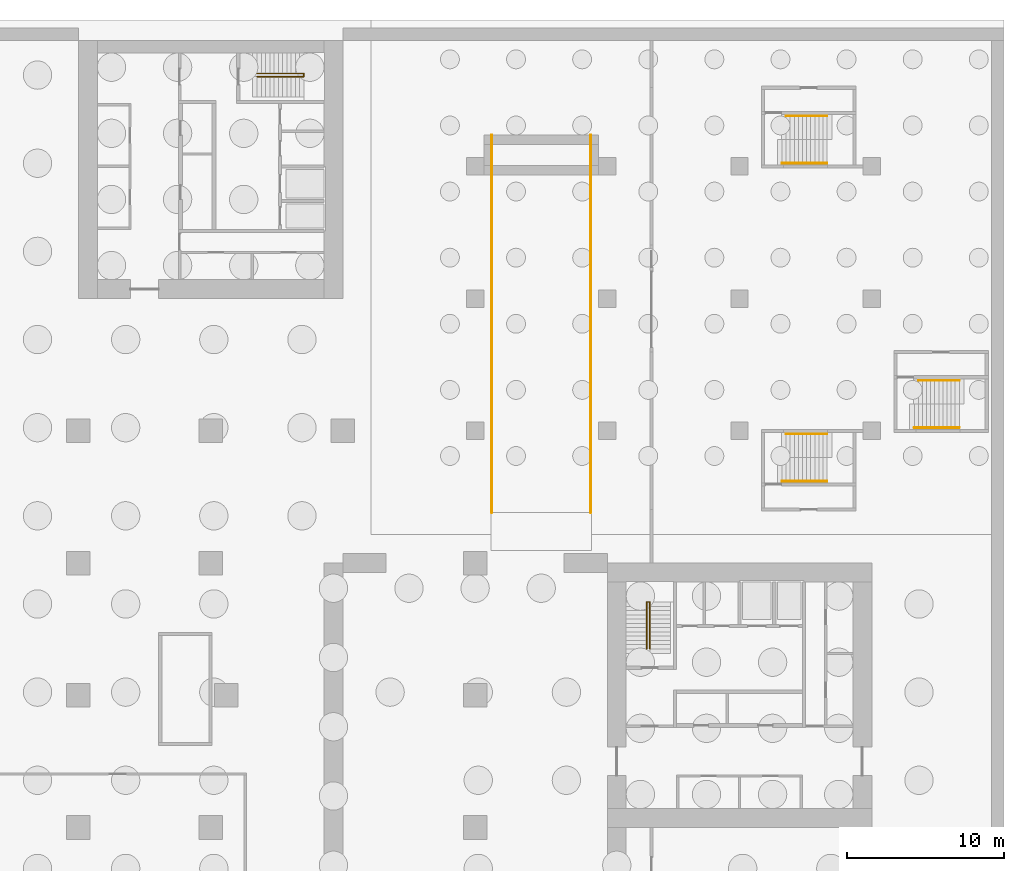
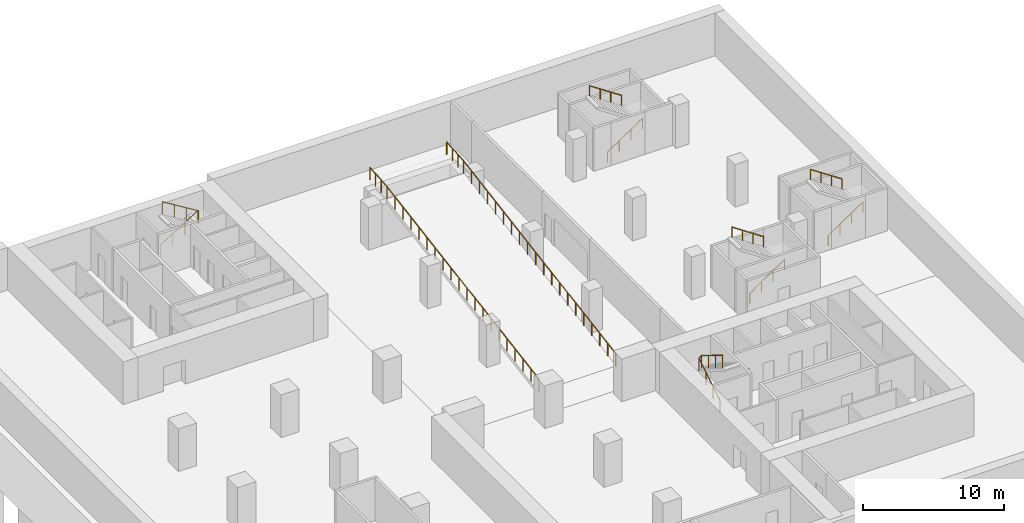
# One storey, part 7 of 8: 12 railings.
"""IFC4 building model written with IfcOpenShell, lengths in metres."""

from ifc_helpers import new_model, si_unit, direction, frame, origin, origin_2d, place, context, subcontext, project, spatial, circle, extrude, material, type_object, element, save


model = new_model("IFC4")

# Units and contexts
model_context = context("Model", 3, precision=1e-05, world=origin(), true_north=direction((0.0, 1.0)))
body_context = subcontext(model_context, "Body", "Model", "MODEL_VIEW")
ifc_project = project(units=[si_unit("LENGTHUNIT", "METRE"), si_unit("AREAUNIT", "SQUARE_METRE"), si_unit("VOLUMEUNIT", "CUBIC_METRE"), si_unit("PLANEANGLEUNIT", "RADIAN"), si_unit("MASSUNIT", "GRAM", prefix="KILO")], contexts=[model_context])

# Site, building, storey
site_placement = place(None, origin())
site = spatial("IfcSite", under=ifc_project, at=site_placement, CompositionType="ELEMENT")
building_placement = place(site_placement, origin())
building = spatial("IfcBuilding", under=site, at=building_placement, Name="Vermilion Gate Residences", CompositionType="ELEMENT")
storey_placement = place(building_placement, frame((0.0, 0.0, -16.0)))
storey = spatial("IfcBuildingStorey", under=building, at=storey_placement, Name="B4", CompositionType="ELEMENT", Elevation=-16.0)

# Railings
ifc_material_1 = material(Name="Steel", Category="steel")
railing_type_1 = type_object("IfcRailingType", Name="RAMP GUARD 1100 (AMENITY)", PredefinedType="GUARDRAIL", material=ifc_material_1)
for number, where, name in (
    (1, (34.64990234375, 52.39990234375, 4.0), "Ramp 4 guard west"),
    (2, (40.949951171875, 52.39990234375, 4.0), "Ramp 4 guard east"),
):
    element("IfcRailing", number, at=place(storey_placement, frame(where)), inside=storey, type_object=railing_type_1, Name=name, PredefinedType="GUARDRAIL", context=body_context, shape_type="SweptSolid", body=[
        extrude(circle(Radius=0.02392578125, at=origin_2d()), frame((0.0, 0.0, 1.076171875), z_axis=(0.0, -0.996547156423, -0.083028700011), x_axis=(1.0, 0.0, 0.0)), (0.0, 0.0, 1.0), 2.408203125),
        extrude(circle(Radius=0.02099609375, at=origin_2d()), origin(), (0.0, 0.0, 1.0), 1.052001953125),
        extrude(circle(Radius=0.02099609375, at=origin_2d()), frame((0.0, -0.800048828125, -0.066650390625)), (0.0, 0.0, 1.0), 1.052001953125),
        extrude(circle(Radius=0.02099609375, at=origin_2d()), frame((0.0, -1.599853515625, -0.13330078125)), (0.0, 0.0, 1.0), 1.052001953125),
        extrude(circle(Radius=0.02099609375, at=origin_2d()), frame((0.0, -2.39990234375, -0.199951171875)), (0.0, 0.0, 1.0), 1.052001953125),
    ])
railing_1_placement = place(storey_placement, frame((34.64990234375, 50.0, 3.800048828125)))
element("IfcRailing", 3, at=railing_1_placement, inside=storey, type_object=railing_type_1, Name="Ramp 4 guard west", PredefinedType="GUARDRAIL", context=body_context, shape_type="SweptSolid", body=[
    extrude(circle(Radius=0.02392578125, at=origin_2d()), frame((0.0, 0.0, 1.076171875), z_axis=(0.0, -0.986393321179, -0.164402603184), x_axis=(1.0, 0.0, 0.0)), (0.0, 0.0, 1.0), 21.89794921875),
    extrude(circle(Radius=0.02099609375, at=origin_2d()), origin(), (0.0, 0.0, 1.0), 1.052001953125),
    extrude(circle(Radius=0.02099609375, at=origin_2d()), frame((0.0, -1.136962890625, -0.189453125)), (0.0, 0.0, 1.0), 1.052001953125),
    extrude(circle(Radius=0.02099609375, at=origin_2d()), frame((0.0, -2.273681640625, -0.37890625)), (0.0, 0.0, 1.0), 1.052001953125),
    extrude(circle(Radius=0.02099609375, at=origin_2d()), frame((0.0, -3.41064453125, -0.568359375)), (0.0, 0.0, 1.0), 1.052001953125),
    extrude(circle(Radius=0.02099609375, at=origin_2d()), frame((0.0, -4.54736328125, -0.7578125)), (0.0, 0.0, 1.0), 1.052001953125),
    extrude(circle(Radius=0.02099609375, at=origin_2d()), frame((0.0, -5.684326171875, -0.947509765625)), (0.0, 0.0, 1.0), 1.052001953125),
    extrude(circle(Radius=0.02099609375, at=origin_2d()), frame((0.0, -6.821044921875, -1.136962890625)), (0.0, 0.0, 1.0), 1.052001953125),
    extrude(circle(Radius=0.02099609375, at=origin_2d()), frame((0.0, -7.9580078125, -1.326416015625)), (0.0, 0.0, 1.0), 1.052001953125),
    extrude(circle(Radius=0.02099609375, at=origin_2d()), frame((0.0, -9.0947265625, -1.515869140625)), (0.0, 0.0, 1.0), 1.052001953125),
    extrude(circle(Radius=0.02099609375, at=origin_2d()), frame((0.0, -10.231689453125, -1.705322265625)), (0.0, 0.0, 1.0), 1.052001953125),
    extrude(circle(Radius=0.02099609375, at=origin_2d()), frame((0.0, -11.368408203125, -1.894775390625)), (0.0, 0.0, 1.0), 1.052001953125),
    extrude(circle(Radius=0.02099609375, at=origin_2d()), frame((0.0, -12.50537109375, -2.084228515625)), (0.0, 0.0, 1.0), 1.052001953125),
    extrude(circle(Radius=0.02099609375, at=origin_2d()), frame((0.0, -13.64208984375, -2.273681640625)), (0.0, 0.0, 1.0), 1.052001953125),
    extrude(circle(Radius=0.02099609375, at=origin_2d()), frame((0.0, -14.779052734375, -2.463134765625)), (0.0, 0.0, 1.0), 1.052001953125),
    extrude(circle(Radius=0.02099609375, at=origin_2d()), frame((0.0, -15.915771484375, -2.652587890625)), (0.0, 0.0, 1.0), 1.052001953125),
    extrude(circle(Radius=0.02099609375, at=origin_2d()), frame((0.0, -17.052734375, -2.84228515625)), (0.0, 0.0, 1.0), 1.052001953125),
    extrude(circle(Radius=0.02099609375, at=origin_2d()), frame((0.0, -18.189453125, -3.03173828125)), (0.0, 0.0, 1.0), 1.052001953125),
    extrude(circle(Radius=0.02099609375, at=origin_2d()), frame((0.0, -19.326416015625, -3.22119140625)), (0.0, 0.0, 1.0), 1.052001953125),
    extrude(circle(Radius=0.02099609375, at=origin_2d()), frame((0.0, -20.463134765625, -3.41064453125)), (0.0, 0.0, 1.0), 1.052001953125),
    extrude(circle(Radius=0.02099609375, at=origin_2d()), frame((0.0, -21.60009765625, -3.60009765625)), (0.0, 0.0, 1.0), 1.052001953125),
])
railing_2_placement = place(storey_placement, frame((40.949951171875, 50.0, 3.800048828125)))
element("IfcRailing", 4, at=railing_2_placement, inside=storey, type_object=railing_type_1, Name="Ramp 4 guard east", PredefinedType="GUARDRAIL", context=body_context, shape_type="SweptSolid", body=[
    extrude(circle(Radius=0.02392578125, at=origin_2d()), frame((0.0, 0.0, 1.076171875), z_axis=(0.0, -0.986393321179, -0.164402603184), x_axis=(1.0, 0.0, 0.0)), (0.0, 0.0, 1.0), 21.89794921875),
    extrude(circle(Radius=0.02099609375, at=origin_2d()), origin(), (0.0, 0.0, 1.0), 1.052001953125),
    extrude(circle(Radius=0.02099609375, at=origin_2d()), frame((0.0, -1.136962890625, -0.189453125)), (0.0, 0.0, 1.0), 1.052001953125),
    extrude(circle(Radius=0.02099609375, at=origin_2d()), frame((0.0, -2.273681640625, -0.37890625)), (0.0, 0.0, 1.0), 1.052001953125),
    extrude(circle(Radius=0.02099609375, at=origin_2d()), frame((0.0, -3.41064453125, -0.568359375)), (0.0, 0.0, 1.0), 1.052001953125),
    extrude(circle(Radius=0.02099609375, at=origin_2d()), frame((0.0, -4.54736328125, -0.7578125)), (0.0, 0.0, 1.0), 1.052001953125),
    extrude(circle(Radius=0.02099609375, at=origin_2d()), frame((0.0, -5.684326171875, -0.947509765625)), (0.0, 0.0, 1.0), 1.052001953125),
    extrude(circle(Radius=0.02099609375, at=origin_2d()), frame((0.0, -6.821044921875, -1.136962890625)), (0.0, 0.0, 1.0), 1.052001953125),
    extrude(circle(Radius=0.02099609375, at=origin_2d()), frame((0.0, -7.9580078125, -1.326416015625)), (0.0, 0.0, 1.0), 1.052001953125),
    extrude(circle(Radius=0.02099609375, at=origin_2d()), frame((0.0, -9.0947265625, -1.515869140625)), (0.0, 0.0, 1.0), 1.052001953125),
    extrude(circle(Radius=0.02099609375, at=origin_2d()), frame((0.0, -10.231689453125, -1.705322265625)), (0.0, 0.0, 1.0), 1.052001953125),
    extrude(circle(Radius=0.02099609375, at=origin_2d()), frame((0.0, -11.368408203125, -1.894775390625)), (0.0, 0.0, 1.0), 1.052001953125),
    extrude(circle(Radius=0.02099609375, at=origin_2d()), frame((0.0, -12.50537109375, -2.084228515625)), (0.0, 0.0, 1.0), 1.052001953125),
    extrude(circle(Radius=0.02099609375, at=origin_2d()), frame((0.0, -13.64208984375, -2.273681640625)), (0.0, 0.0, 1.0), 1.052001953125),
    extrude(circle(Radius=0.02099609375, at=origin_2d()), frame((0.0, -14.779052734375, -2.463134765625)), (0.0, 0.0, 1.0), 1.052001953125),
    extrude(circle(Radius=0.02099609375, at=origin_2d()), frame((0.0, -15.915771484375, -2.652587890625)), (0.0, 0.0, 1.0), 1.052001953125),
    extrude(circle(Radius=0.02099609375, at=origin_2d()), frame((0.0, -17.052734375, -2.84228515625)), (0.0, 0.0, 1.0), 1.052001953125),
    extrude(circle(Radius=0.02099609375, at=origin_2d()), frame((0.0, -18.189453125, -3.03173828125)), (0.0, 0.0, 1.0), 1.052001953125),
    extrude(circle(Radius=0.02099609375, at=origin_2d()), frame((0.0, -19.326416015625, -3.22119140625)), (0.0, 0.0, 1.0), 1.052001953125),
    extrude(circle(Radius=0.02099609375, at=origin_2d()), frame((0.0, -20.463134765625, -3.41064453125)), (0.0, 0.0, 1.0), 1.052001953125),
    extrude(circle(Radius=0.02099609375, at=origin_2d()), frame((0.0, -21.60009765625, -3.60009765625)), (0.0, 0.0, 1.0), 1.052001953125),
])
ifc_material_2 = material(Name="Steel S355", Category="steel")
railing_type_2 = type_object("IfcRailingType", Name="STAIR GUARD 1100 STEEL", PredefinedType="GUARDRAIL", material=ifc_material_2)
railing_3_placement = place(storey_placement, frame((44.5, 19.75, 0.166748046875)))
element("IfcRailing", 5, at=railing_3_placement, inside=storey, type_object=railing_type_2, Name="Stair well guard STA1-B4", PredefinedType="GUARDRAIL", context=body_context, shape_type="SweptSolid", body=[
    extrude(circle(Radius=0.02392578125, at=origin_2d()), frame((0.0, 0.0, 1.076171875), z_axis=(0.0, 0.85094421596, 0.525256072145), x_axis=(-1.0, 0.0, 0.0)), (0.0, 0.0, 1.0), 3.490234375),
    extrude(circle(Radius=0.02392578125, at=origin_2d()), frame((0.0, 2.969970703125, 2.9091796875), z_axis=(0.767990643491, 0.0, 0.640461061666), x_axis=(0.0, 1.0, 0.0)), (0.0, 0.0, 1.0), 0.26025390625),
    extrude(circle(Radius=0.02392578125, at=origin_2d()), frame((0.199951171875, 2.969970703125, 3.076171875), z_axis=(0.0, -0.85094421596, 0.525256072145), x_axis=(1.0, 0.0, 0.0)), (0.0, 0.0, 1.0), 3.490234375),
    extrude(circle(Radius=0.02099609375, at=origin_2d()), origin(), (0.0, 0.0, 1.0), 1.052001953125),
    extrude(circle(Radius=0.02099609375, at=origin_2d()), frame((0.0, 0.989990234375, 0.611083984375)), (0.0, 0.0, 1.0), 1.052001953125),
    extrude(circle(Radius=0.02099609375, at=origin_2d()), frame((0.0, 1.97998046875, 1.22216796875)), (0.0, 0.0, 1.0), 1.052001953125),
    extrude(circle(Radius=0.02099609375, at=origin_2d()), frame((0.0, 2.969970703125, 1.833251953125)), (0.0, 0.0, 1.0), 1.052001953125),
    extrude(circle(Radius=0.02099609375, at=origin_2d()), frame((0.199951171875, 2.969970703125, 2.0)), (0.0, 0.0, 1.0), 1.052001953125),
    extrude(circle(Radius=0.02099609375, at=origin_2d()), frame((0.199951171875, 1.97998046875, 2.611083984375)), (0.0, 0.0, 1.0), 1.052001953125),
    extrude(circle(Radius=0.02099609375, at=origin_2d()), frame((0.199951171875, 0.989990234375, 3.22216796875)), (0.0, 0.0, 1.0), 1.052001953125),
    extrude(circle(Radius=0.02099609375, at=origin_2d()), frame((0.199951171875, 0.0, 3.833251953125)), (0.0, 0.0, 1.0), 1.052001953125),
])
railing_4_placement = place(storey_placement, frame((19.75, 56.300048828125, 0.166748046875)))
element("IfcRailing", 6, at=railing_4_placement, inside=storey, type_object=railing_type_2, Name="Stair well guard STB1-B4", PredefinedType="GUARDRAIL", context=body_context, shape_type="SweptSolid", body=[
    extrude(circle(Radius=0.02392578125, at=origin_2d()), frame((0.0, 0.0, 1.076171875), z_axis=(0.85094421596, 0.0, 0.525256072145), x_axis=(0.0, 1.0, 0.0)), (0.0, 0.0, 1.0), 3.490234375),
    extrude(circle(Radius=0.02392578125, at=origin_2d()), frame((2.969970703125, 0.0, 2.9091796875), z_axis=(0.0, -0.767990643491, 0.640461061666), x_axis=(1.0, 0.0, 0.0)), (0.0, 0.0, 1.0), 0.26025390625),
    extrude(circle(Radius=0.02392578125, at=origin_2d()), frame((2.969970703125, -0.199951171875, 3.076171875), z_axis=(-0.85094421596, 0.0, 0.525256072145), x_axis=(0.0, -1.0, 0.0)), (0.0, 0.0, 1.0), 3.490234375),
    extrude(circle(Radius=0.02099609375, at=origin_2d()), origin(), (0.0, 0.0, 1.0), 1.052001953125),
    extrude(circle(Radius=0.02099609375, at=origin_2d()), frame((0.989990234375, 0.0, 0.611083984375)), (0.0, 0.0, 1.0), 1.052001953125),
    extrude(circle(Radius=0.02099609375, at=origin_2d()), frame((1.97998046875, 0.0, 1.22216796875)), (0.0, 0.0, 1.0), 1.052001953125),
    extrude(circle(Radius=0.02099609375, at=origin_2d()), frame((2.969970703125, 0.0, 1.833251953125)), (0.0, 0.0, 1.0), 1.052001953125),
    extrude(circle(Radius=0.02099609375, at=origin_2d()), frame((2.969970703125, -0.199951171875, 2.0)), (0.0, 0.0, 1.0), 1.052001953125),
    extrude(circle(Radius=0.02099609375, at=origin_2d()), frame((1.97998046875, -0.199951171875, 2.611083984375)), (0.0, 0.0, 1.0), 1.052001953125),
    extrude(circle(Radius=0.02099609375, at=origin_2d()), frame((0.989990234375, -0.199951171875, 3.22216796875)), (0.0, 0.0, 1.0), 1.052001953125),
    extrude(circle(Radius=0.02099609375, at=origin_2d()), frame((0.0, -0.199951171875, 3.833251953125)), (0.0, 0.0, 1.0), 1.052001953125),
])
ifc_material_3 = material(Name="Steel", Category="steel")
railing_type_3 = type_object("IfcRailingType", Name="STAIR HANDRAIL 900 (AMENITY)", PredefinedType="HANDRAIL", material=ifc_material_3)
railing_5_placement = place(storey_placement, frame((53.10009765625, 30.39990234375, 0.173828125)))
element("IfcRailing", 7, at=railing_5_placement, inside=storey, type_object=railing_type_3, Name="Stair handrail", PredefinedType="HANDRAIL", context=body_context, shape_type="SweptSolid", body=[
    extrude(circle(Radius=0.02392578125, at=origin_2d()), frame((0.0, 0.0, 0.8759765625), z_axis=(0.831175961304, 0.0, 0.556009461565), x_axis=(0.0, 1.0, 0.0)), (0.0, 0.0, 1.0), 3.440673828125),
    extrude(circle(Radius=0.02099609375, at=origin_2d()), origin(), (0.0, 0.0, 1.0), 0.851806640625),
    extrude(circle(Radius=0.02099609375, at=origin_2d()), frame((0.953369140625, 0.0, 0.6376953125)), (0.0, 0.0, 1.0), 0.851806640625),
    extrude(circle(Radius=0.02099609375, at=origin_2d()), frame((1.906494140625, 0.0, 1.275390625)), (0.0, 0.0, 1.0), 0.851806640625),
    extrude(circle(Radius=0.02099609375, at=origin_2d()), frame((2.85986328125, 0.0, 1.9130859375)), (0.0, 0.0, 1.0), 0.851806640625),
])
railing_6_placement = place(storey_placement, frame((55.9599609375, 33.39990234375, 2.260986328125)))
element("IfcRailing", 8, at=railing_6_placement, inside=storey, type_object=railing_type_3, Name="Stair handrail", PredefinedType="HANDRAIL", context=body_context, shape_type="SweptSolid", body=[
    extrude(circle(Radius=0.02392578125, at=origin_2d()), frame((0.0, 0.0, 0.8759765625), z_axis=(-0.831196721983, 0.0, 0.555978425269), x_axis=(0.0, -1.0, 0.0)), (0.0, 0.0, 1.0), 3.1279296875),
    extrude(circle(Radius=0.02099609375, at=origin_2d()), origin(), (0.0, 0.0, 1.0), 0.851806640625),
    extrude(circle(Radius=0.02099609375, at=origin_2d()), frame((-0.86669921875, 0.0, 0.57958984375)), (0.0, 0.0, 1.0), 0.851806640625),
    extrude(circle(Radius=0.02099609375, at=origin_2d()), frame((-1.733154296875, 0.0, 1.159423828125)), (0.0, 0.0, 1.0), 0.851806640625),
    extrude(circle(Radius=0.02099609375, at=origin_2d()), frame((-2.599853515625, 0.0, 1.739013671875)), (0.0, 0.0, 1.0), 0.851806640625),
])
railing_7_placement = place(storey_placement, frame((53.10009765625, 50.60009765625, 0.173828125)))
element("IfcRailing", 9, at=railing_7_placement, inside=storey, type_object=railing_type_3, Name="Stair handrail", PredefinedType="HANDRAIL", context=body_context, shape_type="SweptSolid", body=[
    extrude(circle(Radius=0.02392578125, at=origin_2d()), frame((0.0, 0.0, 0.8759765625), z_axis=(0.831175961304, 0.0, 0.556009461565), x_axis=(0.0, 1.0, 0.0)), (0.0, 0.0, 1.0), 3.440673828125),
    extrude(circle(Radius=0.02099609375, at=origin_2d()), origin(), (0.0, 0.0, 1.0), 0.851806640625),
    extrude(circle(Radius=0.02099609375, at=origin_2d()), frame((0.953369140625, 0.0, 0.6376953125)), (0.0, 0.0, 1.0), 0.851806640625),
    extrude(circle(Radius=0.02099609375, at=origin_2d()), frame((1.906494140625, 0.0, 1.275390625)), (0.0, 0.0, 1.0), 0.851806640625),
    extrude(circle(Radius=0.02099609375, at=origin_2d()), frame((2.85986328125, 0.0, 1.9130859375)), (0.0, 0.0, 1.0), 0.851806640625),
])
railing_8_placement = place(storey_placement, frame((55.9599609375, 53.60009765625, 2.260986328125)))
element("IfcRailing", 10, at=railing_8_placement, inside=storey, type_object=railing_type_3, Name="Stair handrail", PredefinedType="HANDRAIL", context=body_context, shape_type="SweptSolid", body=[
    extrude(circle(Radius=0.02392578125, at=origin_2d()), frame((0.0, 0.0, 0.8759765625), z_axis=(-0.831196721983, 0.0, 0.555978425269), x_axis=(0.0, -1.0, 0.0)), (0.0, 0.0, 1.0), 3.1279296875),
    extrude(circle(Radius=0.02099609375, at=origin_2d()), origin(), (0.0, 0.0, 1.0), 0.851806640625),
    extrude(circle(Radius=0.02099609375, at=origin_2d()), frame((-0.86669921875, 0.0, 0.57958984375)), (0.0, 0.0, 1.0), 0.851806640625),
    extrude(circle(Radius=0.02099609375, at=origin_2d()), frame((-1.733154296875, 0.0, 1.159423828125)), (0.0, 0.0, 1.0), 0.851806640625),
    extrude(circle(Radius=0.02099609375, at=origin_2d()), frame((-2.599853515625, 0.0, 1.739013671875)), (0.0, 0.0, 1.0), 0.851806640625),
])
railing_9_placement = place(storey_placement, frame((61.5, 33.800048828125, 0.173828125)))
element("IfcRailing", 11, at=railing_9_placement, inside=storey, type_object=railing_type_3, Name="Stair handrail", PredefinedType="HANDRAIL", context=body_context, shape_type="SweptSolid", body=[
    extrude(circle(Radius=0.02392578125, at=origin_2d()), frame((0.0, 0.0, 0.8759765625), z_axis=(0.831197895095, 0.0, 0.555976671444), x_axis=(0.0, 1.0, 0.0)), (0.0, 0.0, 1.0), 3.44091796875),
    extrude(circle(Radius=0.02099609375, at=origin_2d()), origin(), (0.0, 0.0, 1.0), 0.851806640625),
    extrude(circle(Radius=0.02099609375, at=origin_2d()), frame((0.953369140625, 0.0, 0.6376953125)), (0.0, 0.0, 1.0), 0.851806640625),
    extrude(circle(Radius=0.02099609375, at=origin_2d()), frame((1.90673828125, 0.0, 1.275390625)), (0.0, 0.0, 1.0), 0.851806640625),
    extrude(circle(Radius=0.02099609375, at=origin_2d()), frame((2.860107421875, 0.0, 1.9130859375)), (0.0, 0.0, 1.0), 0.851806640625),
])
railing_10_placement = place(storey_placement, frame((64.360107421875, 36.800048828125, 2.260986328125)))
element("IfcRailing", 12, at=railing_10_placement, inside=storey, type_object=railing_type_3, Name="Stair handrail", PredefinedType="HANDRAIL", context=body_context, shape_type="SweptSolid", body=[
    extrude(circle(Radius=0.02392578125, at=origin_2d()), frame((0.0, 0.0, 0.8759765625), z_axis=(-0.831220847055, 0.0, 0.555942356204), x_axis=(0.0, -1.0, 0.0)), (0.0, 0.0, 1.0), 3.1279296875),
    extrude(circle(Radius=0.02099609375, at=origin_2d()), origin(), (0.0, 0.0, 1.0), 0.851806640625),
    extrude(circle(Radius=0.02099609375, at=origin_2d()), frame((-0.86669921875, 0.0, 0.57958984375)), (0.0, 0.0, 1.0), 0.851806640625),
    extrude(circle(Radius=0.02099609375, at=origin_2d()), frame((-1.7333984375, 0.0, 1.159423828125)), (0.0, 0.0, 1.0), 0.851806640625),
    extrude(circle(Radius=0.02099609375, at=origin_2d()), frame((-2.60009765625, 0.0, 1.739013671875)), (0.0, 0.0, 1.0), 0.851806640625),
])

save(model, "model.ifc")
